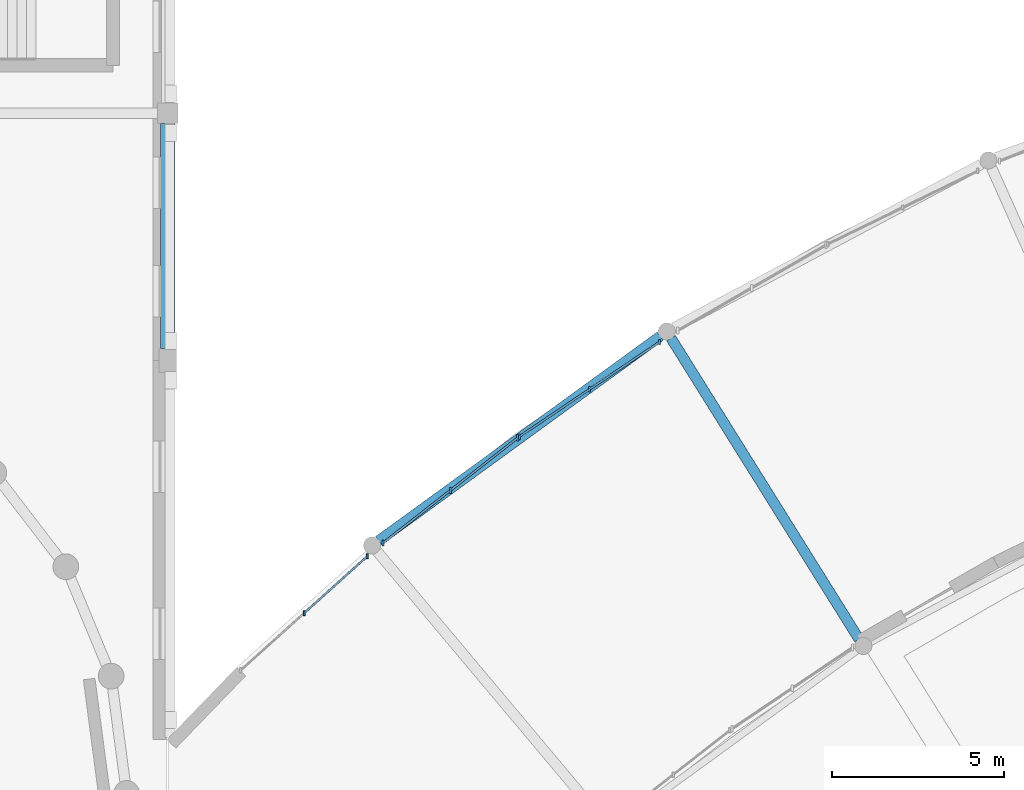
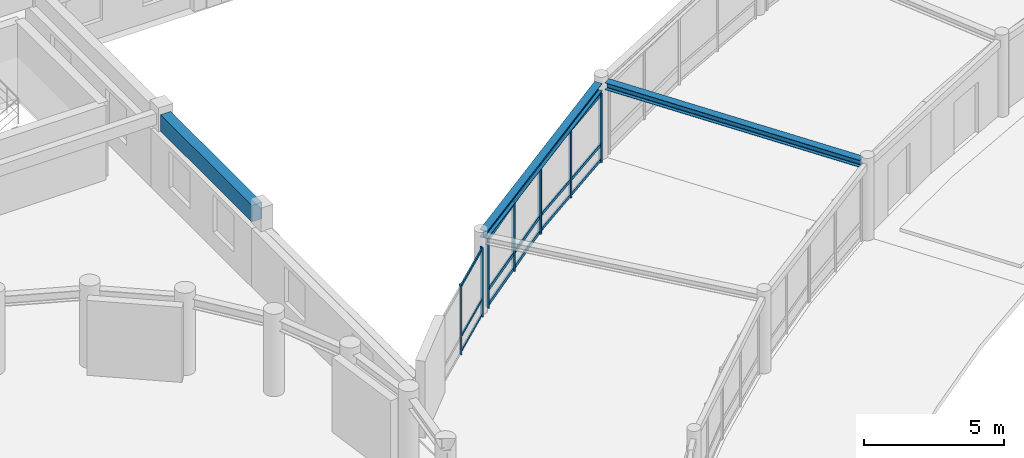
# One storey, part 28 of 74: 23 members, 3 beams, 3 elements without a shape of their own.
"""IFC4 building model written with IfcOpenShell, lengths in metres."""

from ifc_helpers import new_model, si_unit, direction, frame, origin, origin_2d, place, context, subcontext, project, spatial, rectangle, i_section, extrude, material, material_profile, profile_set, type_object, element, aggregate, save


model = new_model("IFC4")

# Units and contexts
model_context = context("Model", 3, precision=1e-05, world=origin(), true_north=direction((0.0, 1.0)))
body_context = subcontext(model_context, "Body", "Model", "MODEL_VIEW")
ifc_project = project(units=[si_unit("LENGTHUNIT", "METRE"), si_unit("AREAUNIT", "SQUARE_METRE"), si_unit("VOLUMEUNIT", "CUBIC_METRE"), si_unit("PLANEANGLEUNIT", "RADIAN"), si_unit("MASSUNIT", "GRAM", prefix="KILO")], contexts=[model_context])

# Site, building, storey
site_placement = place(None, origin())
site = spatial("IfcSite", under=ifc_project, at=site_placement, CompositionType="ELEMENT")
building_placement = place(site_placement, origin())
building = spatial("IfcBuilding", under=site, at=building_placement, Name="Clarverna Civic Hall", CompositionType="ELEMENT")
storey_placement = place(building_placement, frame((0.0, 0.0, 9.60009765625)))
storey = spatial("IfcBuildingStorey", under=building, at=storey_placement, Name="L02", CompositionType="ELEMENT", Elevation=9.60009765625)

# Beams
ifc_material_1 = material(Name="Concrete C35/45", Category="concrete")
ifc_material_profile_1 = material_profile(ifc_material_1, rectangle(XDim=0.419921875, YDim=0.719970703125, at=origin_2d()), Name="RC 420x720")
ifc_profile_set_1 = profile_set([ifc_material_profile_1], Name="Concrete C35/45")
beam_type_1 = type_object("IfcBeamType", Name="B-SP1", PredefinedType="SPANDREL", material=ifc_profile_set_1)
beam_1_placement = place(storey_placement, frame((97.199951171875, 71.949951171875, 2.919921875), z_axis=(0.0, 1.0, 0.0), x_axis=(-1.0, 0.0, 0.0)))
element("IfcBeam", 1, at=beam_1_placement, inside=storey, type_object=beam_type_1, Name="B-SP1-102", PredefinedType="SPANDREL", context=body_context, shape_type="SweptSolid", body=[
    extrude(rectangle(XDim=0.419921875, YDim=0.719970703125, at=origin_2d()), origin(), (0.0, 0.0, 1.0), 6.550048828125),
])
ifc_material_2 = material(Name="Steel S355", Category="steel")
ifc_material_profile_2 = material_profile(ifc_material_2, i_section(OverallWidth=0.300048828125, OverallDepth=0.330078125, WebThickness=0.009521484375, FlangeThickness=0.0166015625, FilletRadius=0.027099609375, at=origin_2d()), Name="HEA 340")
ifc_profile_set_2 = profile_set([ifc_material_profile_2], Name="Steel S355")
beam_type_2 = type_object("IfcBeamType", Name="B-ST8", PredefinedType="BEAM", material=ifc_profile_set_2)
beam_2_placement = place(storey_placement, frame((111.535888671875, 72.313720703125, 3.19482421875), z_axis=(-0.809003761362, -0.587803465541, 0.0), x_axis=(0.587803465541, -0.809003761362, 0.0)))
element("IfcBeam", 2, at=beam_2_placement, inside=storey, type_object=beam_type_2, Name="B-ST8-081", PredefinedType="BEAM", context=body_context, shape_type="SweptSolid", body=[
    extrude(i_section(OverallWidth=0.300048828125, OverallDepth=0.330078125, WebThickness=0.009521484375, FlangeThickness=0.0166015625, FilletRadius=0.027099609375, at=origin_2d()), origin(), (0.0, 0.0, 1.0), 10.133056640625),
])
ifc_material_profile_3 = material_profile(ifc_material_2, i_section(OverallWidth=0.300048828125, OverallDepth=0.31005859375, WebThickness=0.009033203125, FlangeThickness=0.015380859375, FilletRadius=0.027099609375, at=origin_2d()), Name="HEA 320")
ifc_profile_set_3 = profile_set([ifc_material_profile_3], Name="Steel S355")
beam_type_3 = type_object("IfcBeamType", Name="B-ST9", PredefinedType="BEAM", material=ifc_profile_set_3)
beam_3_placement = place(storey_placement, frame((117.32470703125, 63.491943359375, 3.204833984375), z_axis=(-0.529916086552, 0.848050081784, 0.0), x_axis=(-0.848050081784, -0.529916086552, 0.0)))
element("IfcBeam", 3, at=beam_3_placement, inside=storey, type_object=beam_type_3, Name="B-ST9-080", PredefinedType="BEAM", context=body_context, shape_type="SweptSolid", body=[
    extrude(i_section(OverallWidth=0.300048828125, OverallDepth=0.31005859375, WebThickness=0.009033203125, FlangeThickness=0.015380859375, FilletRadius=0.027099609375, at=origin_2d()), origin(), (0.0, 0.0, 1.0), 10.330078125),
])

# Curtain wall, members
ifc_material_3 = material(Name="Anodised Bronze Architectural Aluminium", Category="aluminium")
curtain_wall_type = type_object("IfcCurtainWallType", Name="CW-03", PredefinedType="USERDEFINED", material=ifc_material_3)
curtain_wall_1_placement = place(storey_placement, origin())
curtain_wall_1 = element("IfcCurtainWall", 4, at=curtain_wall_1_placement, inside=storey, type_object=curtain_wall_type, Name="CW-03-049", ObjectType="UNITISED CURTAIN WALL", PredefinedType="USERDEFINED")
ifc_material_profile_4 = material_profile(ifc_material_3, rectangle(XDim=0.06005859375, YDim=0.179931640625, at=origin_2d()), Name="BRONZE 60x180")
ifc_profile_set_4 = profile_set([ifc_material_profile_4], Name="Anodised Bronze Architectural Aluminium")
member_type_1 = type_object("IfcMemberType", Name="CWM-01", PredefinedType="MULLION", material=ifc_profile_set_4)
member_1_placement = place(storey_placement, frame((103.464111328125, 66.28857421875, 0.0), z_axis=(0.0, 0.0, 1.0), x_axis=(1.0, 0.0, 0.0)))
member_1 = element("IfcMember", 5, at=member_1_placement, type_object=member_type_1, Name="CWM-01-093", PredefinedType="MULLION", context=body_context, shape_type="SweptSolid", body=[
    extrude(rectangle(XDim=0.06005859375, YDim=0.179931640625, at=origin_2d()), origin(), (0.0, 0.0, 1.0), 3.02978515625),
])
member_2_placement = place(storey_placement, frame((105.42626953125, 67.82177734375, 0.0), z_axis=(0.0, 0.0, 1.0), x_axis=(1.0, 0.0, 0.0)))
member_2 = element("IfcMember", 6, at=member_2_placement, type_object=member_type_1, Name="CWM-01-094", PredefinedType="MULLION", context=body_context, shape_type="SweptSolid", body=[
    extrude(rectangle(XDim=0.06005859375, YDim=0.179931640625, at=origin_2d()), origin(), (0.0, 0.0, 1.0), 3.02978515625),
])
member_3_placement = place(storey_placement, frame((107.388427734375, 69.354736328125, 0.0), z_axis=(0.0, 0.0, 1.0), x_axis=(1.0, 0.0, 0.0)))
member_3 = element("IfcMember", 7, at=member_3_placement, type_object=member_type_1, Name="CWM-01-095", PredefinedType="MULLION", context=body_context, shape_type="SweptSolid", body=[
    extrude(rectangle(XDim=0.06005859375, YDim=0.179931640625, at=origin_2d()), origin(), (0.0, 0.0, 1.0), 3.02978515625),
])

curtain_wall_2_placement = place(storey_placement, origin())
curtain_wall_2 = element("IfcCurtainWall", 8, at=curtain_wall_2_placement, inside=storey, type_object=curtain_wall_type, Name="CW-03-050", ObjectType="UNITISED CURTAIN WALL", PredefinedType="USERDEFINED")
ifc_material_profile_5 = material_profile(ifc_material_3, rectangle(XDim=0.06005859375, YDim=0.159912109375, at=origin_2d()), Name="BRONZE 60x160")
ifc_profile_set_5 = profile_set([ifc_material_profile_5], Name="Anodised Bronze Architectural Aluminium")
member_type_2 = type_object("IfcMemberType", Name="CWM-02", PredefinedType="MULLION", material=ifc_profile_set_5)
member_4_placement = place(storey_placement, frame((107.43408203125, 69.3876953125, 0.0), z_axis=(0.0, 0.0, 1.0), x_axis=(1.0, 0.0, 0.0)))
member_4 = element("IfcMember", 9, at=member_4_placement, type_object=member_type_2, Name="CWM-02-121", PredefinedType="MULLION", context=body_context, shape_type="SweptSolid", body=[
    extrude(rectangle(XDim=0.06005859375, YDim=0.159912109375, at=origin_2d()), origin(), (0.0, 0.0, 1.0), 3.02978515625),
])
member_5_placement = place(storey_placement, frame((109.4765625, 70.765380859375, 0.0), z_axis=(0.0, 0.0, 1.0), x_axis=(1.0, 0.0, 0.0)))
member_5 = element("IfcMember", 10, at=member_5_placement, type_object=member_type_2, Name="CWM-02-122", PredefinedType="MULLION", context=body_context, shape_type="SweptSolid", body=[
    extrude(rectangle(XDim=0.06005859375, YDim=0.159912109375, at=origin_2d()), origin(), (0.0, 0.0, 1.0), 3.02978515625),
])
member_6_placement = place(storey_placement, frame((111.519287109375, 72.143310546875, 0.0), z_axis=(0.0, 0.0, 1.0), x_axis=(1.0, 0.0, 0.0)))
member_6 = element("IfcMember", 11, at=member_6_placement, type_object=member_type_2, Name="CWM-02-123", PredefinedType="MULLION", context=body_context, shape_type="SweptSolid", body=[
    extrude(rectangle(XDim=0.06005859375, YDim=0.159912109375, at=origin_2d()), origin(), (0.0, 0.0, 1.0), 3.02978515625),
])

curtain_wall_3_placement = place(storey_placement, origin())
curtain_wall_3 = element("IfcCurtainWall", 12, at=curtain_wall_3_placement, inside=storey, type_object=curtain_wall_type, Name="CW-03-048", ObjectType="UNITISED CURTAIN WALL", PredefinedType="USERDEFINED")
ifc_material_profile_6 = material_profile(ifc_material_3, rectangle(XDim=0.054931640625, YDim=0.139892578125, at=origin_2d()), Name="BRONZE 55x140")
ifc_profile_set_6 = profile_set([ifc_material_profile_6], Name="Anodised Bronze Architectural Aluminium")
member_type_3 = type_object("IfcMemberType", Name="CWM-04", PredefinedType="MULLION", material=ifc_profile_set_6)
member_7_placement = place(storey_placement, frame((101.16748046875, 64.24755859375, 0.0), z_axis=(0.0, 0.0, 1.0), x_axis=(1.0, 0.0, 0.0)))
member_7 = element("IfcMember", 13, at=member_7_placement, type_object=member_type_3, Name="CWM-04-123", PredefinedType="MULLION", context=body_context, shape_type="SweptSolid", body=[
    extrude(rectangle(XDim=0.054931640625, YDim=0.139892578125, at=origin_2d()), origin(), (0.0, 0.0, 1.0), 3.02978515625),
])
member_8_placement = place(storey_placement, frame((103.0107421875, 65.9072265625, 0.0), z_axis=(0.0, 0.0, 1.0), x_axis=(1.0, 0.0, 0.0)))
member_8 = element("IfcMember", 14, at=member_8_placement, type_object=member_type_3, Name="CWM-04-124", PredefinedType="MULLION", context=body_context, shape_type="SweptSolid", body=[
    extrude(rectangle(XDim=0.054931640625, YDim=0.139892578125, at=origin_2d()), origin(), (0.0, 0.0, 1.0), 3.02978515625),
])

# Member
ifc_material_profile_7 = material_profile(ifc_material_3, rectangle(XDim=0.06005859375, YDim=0.14990234375, at=origin_2d()), Name="BRONZE 60x150")
ifc_profile_set_7 = profile_set([ifc_material_profile_7], Name="Anodised Bronze Architectural Aluminium")
member_type_4 = type_object("IfcMemberType", Name="CWT-01", PredefinedType="USERDEFINED", material=ifc_profile_set_7)
member_9_placement = place(storey_placement, frame((103.475830078125, 66.2978515625, 0.094970703125), z_axis=(0.788019860316, 0.615649819091, 0.0), x_axis=(-0.615649819091, 0.788019860316, 0.0)))
member_9 = element("IfcMember", 15, at=member_9_placement, type_object=member_type_4, Name="CWT-01-196", ObjectType="TRANSOM", PredefinedType="USERDEFINED", context=body_context, shape_type="SweptSolid", body=[
    extrude(rectangle(XDim=0.06005859375, YDim=0.14990234375, at=origin_2d()), origin(), (0.0, 0.0, 1.0), 2.460205078125),
])

member_10_placement = place(storey_placement, frame((103.475830078125, 66.2978515625, 0.75), z_axis=(0.788019860316, 0.615649819091, 0.0), x_axis=(-0.615649819091, 0.788019860316, 0.0)))
member_10 = element("IfcMember", 16, at=member_10_placement, type_object=member_type_4, Name="CWT-01-197", ObjectType="TRANSOM", PredefinedType="USERDEFINED", context=body_context, shape_type="SweptSolid", body=[
    extrude(rectangle(XDim=0.06005859375, YDim=0.14990234375, at=origin_2d()), origin(), (0.0, 0.0, 1.0), 2.460205078125),
])

member_11_placement = place(storey_placement, frame((103.475830078125, 66.2978515625, 2.934814453125), z_axis=(0.788019860316, 0.615649819091, 0.0), x_axis=(-0.615649819091, 0.788019860316, 0.0)))
member_11 = element("IfcMember", 17, at=member_11_placement, type_object=member_type_4, Name="CWT-01-198", ObjectType="TRANSOM", PredefinedType="USERDEFINED", context=body_context, shape_type="SweptSolid", body=[
    extrude(rectangle(XDim=0.06005859375, YDim=0.14990234375, at=origin_2d()), origin(), (0.0, 0.0, 1.0), 2.460205078125),
])

member_12_placement = place(storey_placement, frame((105.43798828125, 67.830810546875, 0.094970703125), z_axis=(0.788019860316, 0.615649819091, 0.0), x_axis=(-0.615649819091, 0.788019860316, 0.0)))
member_12 = element("IfcMember", 18, at=member_12_placement, type_object=member_type_4, Name="CWT-01-199", ObjectType="TRANSOM", PredefinedType="USERDEFINED", context=body_context, shape_type="SweptSolid", body=[
    extrude(rectangle(XDim=0.06005859375, YDim=0.14990234375, at=origin_2d()), origin(), (0.0, 0.0, 1.0), 2.460205078125),
])

member_13_placement = place(storey_placement, frame((105.43798828125, 67.830810546875, 0.75), z_axis=(0.788019860316, 0.615649819091, 0.0), x_axis=(-0.615649819091, 0.788019860316, 0.0)))
member_13 = element("IfcMember", 19, at=member_13_placement, type_object=member_type_4, Name="CWT-01-200", ObjectType="TRANSOM", PredefinedType="USERDEFINED", context=body_context, shape_type="SweptSolid", body=[
    extrude(rectangle(XDim=0.06005859375, YDim=0.14990234375, at=origin_2d()), origin(), (0.0, 0.0, 1.0), 2.460205078125),
])

member_14_placement = place(storey_placement, frame((105.43798828125, 67.830810546875, 2.934814453125), z_axis=(0.788019860316, 0.615649819091, 0.0), x_axis=(-0.615649819091, 0.788019860316, 0.0)))
member_14 = element("IfcMember", 20, at=member_14_placement, type_object=member_type_4, Name="CWT-01-201", ObjectType="TRANSOM", PredefinedType="USERDEFINED", context=body_context, shape_type="SweptSolid", body=[
    extrude(rectangle(XDim=0.06005859375, YDim=0.14990234375, at=origin_2d()), origin(), (0.0, 0.0, 1.0), 2.460205078125),
])

aggregate(curtain_wall_1, [member_1, member_2, member_3, member_9, member_10, member_11, member_12, member_13, member_14])

ifc_material_profile_8 = material_profile(ifc_material_3, rectangle(XDim=0.06005859375, YDim=0.1298828125, at=origin_2d()), Name="BRONZE 60x130")
ifc_profile_set_8 = profile_set([ifc_material_profile_8], Name="Anodised Bronze Architectural Aluminium")
member_type_5 = type_object("IfcMemberType", Name="CWT-02", PredefinedType="USERDEFINED", material=ifc_profile_set_8)
member_15_placement = place(storey_placement, frame((107.4462890625, 69.39599609375, 0.094970703125), z_axis=(0.829028871724, 0.559205802766, 0.0), x_axis=(-0.559205802766, 0.829028871724, 0.0)))
member_15 = element("IfcMember", 21, at=member_15_placement, type_object=member_type_5, Name="CWT-02-253", ObjectType="TRANSOM", PredefinedType="USERDEFINED", context=body_context, shape_type="SweptSolid", body=[
    extrude(rectangle(XDim=0.06005859375, YDim=0.1298828125, at=origin_2d()), origin(), (0.0, 0.0, 1.0), 2.433837890625),
])

member_16_placement = place(storey_placement, frame((107.4462890625, 69.39599609375, 0.75), z_axis=(0.829028871724, 0.559205802766, 0.0), x_axis=(-0.559205802766, 0.829028871724, 0.0)))
member_16 = element("IfcMember", 22, at=member_16_placement, type_object=member_type_5, Name="CWT-02-254", ObjectType="TRANSOM", PredefinedType="USERDEFINED", context=body_context, shape_type="SweptSolid", body=[
    extrude(rectangle(XDim=0.06005859375, YDim=0.1298828125, at=origin_2d()), origin(), (0.0, 0.0, 1.0), 2.433837890625),
])

member_17_placement = place(storey_placement, frame((107.4462890625, 69.39599609375, 2.934814453125), z_axis=(0.829028871724, 0.559205802766, 0.0), x_axis=(-0.559205802766, 0.829028871724, 0.0)))
member_17 = element("IfcMember", 23, at=member_17_placement, type_object=member_type_5, Name="CWT-02-255", ObjectType="TRANSOM", PredefinedType="USERDEFINED", context=body_context, shape_type="SweptSolid", body=[
    extrude(rectangle(XDim=0.06005859375, YDim=0.1298828125, at=origin_2d()), origin(), (0.0, 0.0, 1.0), 2.433837890625),
])

member_18_placement = place(storey_placement, frame((109.489013671875, 70.773681640625, 0.094970703125), z_axis=(0.829028871724, 0.559205802766, 0.0), x_axis=(-0.559205802766, 0.829028871724, 0.0)))
member_18 = element("IfcMember", 24, at=member_18_placement, type_object=member_type_5, Name="CWT-02-256", ObjectType="TRANSOM", PredefinedType="USERDEFINED", context=body_context, shape_type="SweptSolid", body=[
    extrude(rectangle(XDim=0.06005859375, YDim=0.1298828125, at=origin_2d()), origin(), (0.0, 0.0, 1.0), 2.433837890625),
])

member_19_placement = place(storey_placement, frame((109.489013671875, 70.773681640625, 0.75), z_axis=(0.829028871724, 0.559205802766, 0.0), x_axis=(-0.559205802766, 0.829028871724, 0.0)))
member_19 = element("IfcMember", 25, at=member_19_placement, type_object=member_type_5, Name="CWT-02-257", ObjectType="TRANSOM", PredefinedType="USERDEFINED", context=body_context, shape_type="SweptSolid", body=[
    extrude(rectangle(XDim=0.06005859375, YDim=0.1298828125, at=origin_2d()), origin(), (0.0, 0.0, 1.0), 2.433837890625),
])

member_20_placement = place(storey_placement, frame((109.489013671875, 70.773681640625, 2.934814453125), z_axis=(0.829028871724, 0.559205802766, 0.0), x_axis=(-0.559205802766, 0.829028871724, 0.0)))
member_20 = element("IfcMember", 26, at=member_20_placement, type_object=member_type_5, Name="CWT-02-258", ObjectType="TRANSOM", PredefinedType="USERDEFINED", context=body_context, shape_type="SweptSolid", body=[
    extrude(rectangle(XDim=0.06005859375, YDim=0.1298828125, at=origin_2d()), origin(), (0.0, 0.0, 1.0), 2.433837890625),
])

aggregate(curtain_wall_2, [member_4, member_5, member_6, member_15, member_16, member_17, member_18, member_19, member_20])

ifc_material_profile_9 = material_profile(ifc_material_3, rectangle(XDim=0.054931640625, YDim=0.110107421875, at=origin_2d()), Name="BRONZE 55x110")
ifc_profile_set_9 = profile_set([ifc_material_profile_9], Name="Anodised Bronze Architectural Aluminium")
member_type_6 = type_object("IfcMemberType", Name="CWT-04", PredefinedType="USERDEFINED", material=ifc_profile_set_9)
member_21_placement = place(storey_placement, frame((101.1787109375, 64.257568359375, 0.094970703125), z_axis=(0.743105849105, 0.669173891471, 0.0), x_axis=(-0.669173891471, 0.743105849105, 0.0)))
member_21 = element("IfcMember", 27, at=member_21_placement, type_object=member_type_6, Name="CWT-04-259", ObjectType="TRANSOM", PredefinedType="USERDEFINED", context=body_context, shape_type="SweptSolid", body=[
    extrude(rectangle(XDim=0.054931640625, YDim=0.110107421875, at=origin_2d()), origin(), (0.0, 0.0, 1.0), 2.4501953125),
])

member_22_placement = place(storey_placement, frame((101.1787109375, 64.257568359375, 0.75), z_axis=(0.743105849105, 0.669173891471, 0.0), x_axis=(-0.669173891471, 0.743105849105, 0.0)))
member_22 = element("IfcMember", 28, at=member_22_placement, type_object=member_type_6, Name="CWT-04-260", ObjectType="TRANSOM", PredefinedType="USERDEFINED", context=body_context, shape_type="SweptSolid", body=[
    extrude(rectangle(XDim=0.054931640625, YDim=0.110107421875, at=origin_2d()), origin(), (0.0, 0.0, 1.0), 2.4501953125),
])

member_23_placement = place(storey_placement, frame((101.1787109375, 64.257568359375, 2.934814453125), z_axis=(0.743105849105, 0.669173891471, 0.0), x_axis=(-0.669173891471, 0.743105849105, 0.0)))
member_23 = element("IfcMember", 29, at=member_23_placement, type_object=member_type_6, Name="CWT-04-261", ObjectType="TRANSOM", PredefinedType="USERDEFINED", context=body_context, shape_type="SweptSolid", body=[
    extrude(rectangle(XDim=0.054931640625, YDim=0.110107421875, at=origin_2d()), origin(), (0.0, 0.0, 1.0), 2.4501953125),
])

aggregate(curtain_wall_3, [member_7, member_8, member_21, member_22, member_23])

save(model, "model.ifc")
